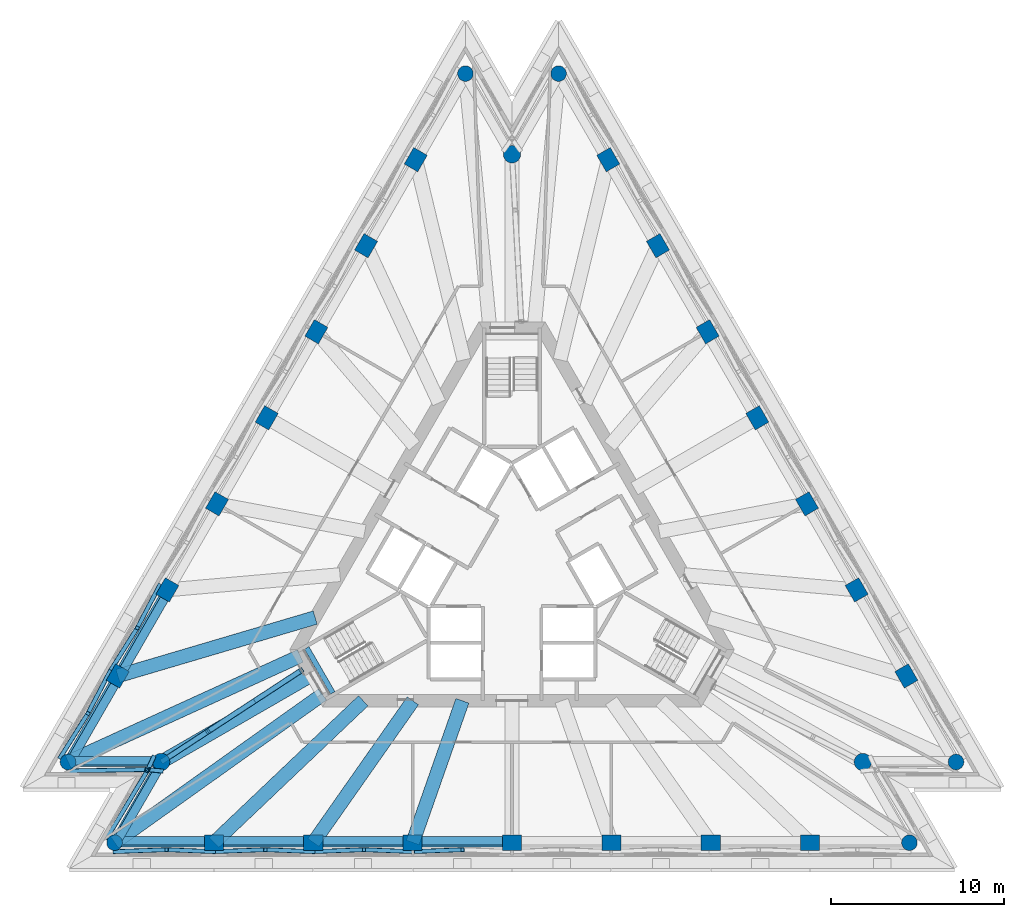
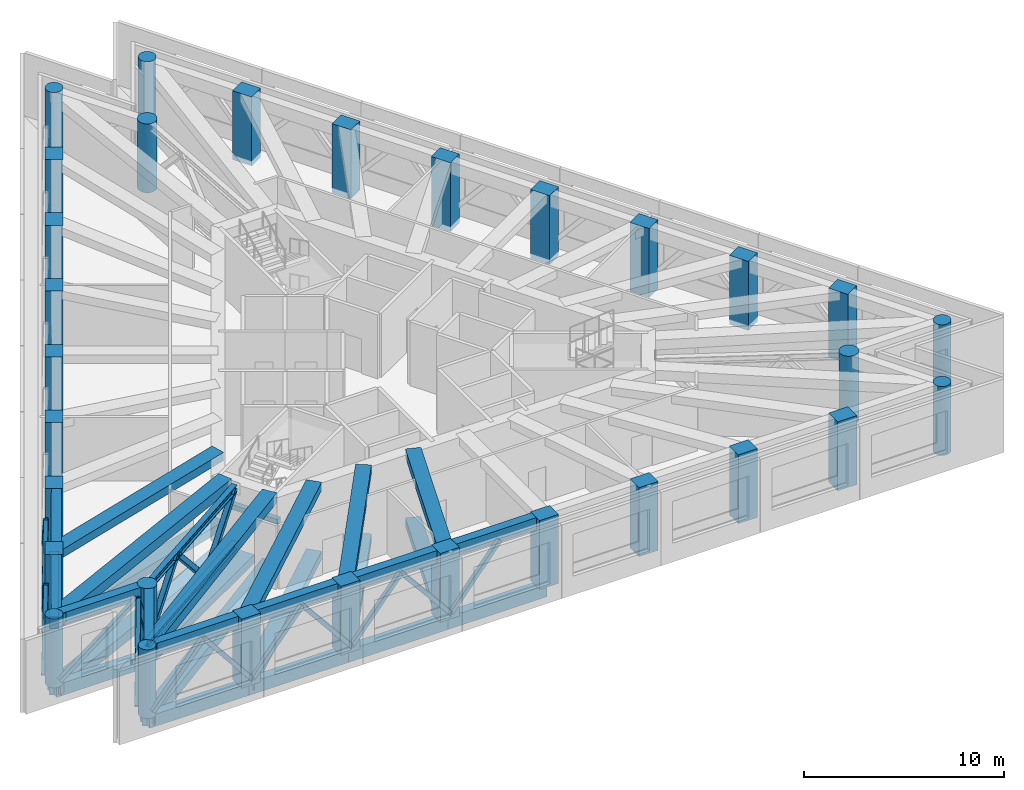
# One storey, part 1 of 12: 30 beams, 30 columns, 20 members.
"""IFC4 building model written with IfcOpenShell, lengths in metres."""

from ifc_helpers import new_model, si_unit, direction, frame, origin, origin_2d, place, context, subcontext, project, spatial, rectangle, hollow_rectangle, circle, i_section, extrude, material, material_profile, profile_set, type_object, element, save


model = new_model("IFC4")

# Units and contexts
model_context = context("Model", 3, precision=1e-05, world=origin(), true_north=direction((0.0, 1.0)))
body_context = subcontext(model_context, "Body", "Model", "MODEL_VIEW")
ifc_project = project(units=[si_unit("LENGTHUNIT", "METRE"), si_unit("AREAUNIT", "SQUARE_METRE"), si_unit("VOLUMEUNIT", "CUBIC_METRE"), si_unit("PLANEANGLEUNIT", "RADIAN"), si_unit("MASSUNIT", "GRAM", prefix="KILO")], contexts=[model_context])

# Site, building, storey
site_placement = place(None, origin())
site = spatial("IfcSite", under=ifc_project, at=site_placement, CompositionType="ELEMENT")
building_placement = place(site_placement, origin())
building = spatial("IfcBuilding", under=site, at=building_placement, Name="Triada Interchange Tower", CompositionType="ELEMENT")
storey_placement = place(building_placement, frame((0.0, 0.0, 251.300048828125)))
storey = spatial("IfcBuildingStorey", under=building, at=storey_placement, Name="L59", CompositionType="ELEMENT", Elevation=251.300048828125)

# Columns
ifc_material_1 = material(Name="Concrete C50/60", Category="concrete")
ifc_material_profile_1 = material_profile(ifc_material_1, rectangle(XDim=1.10009765625, YDim=0.89990234375, at=origin_2d()), Name="RC 1100x900")
ifc_profile_set_1 = profile_set([ifc_material_profile_1], Name="Concrete C50/60")
column_type_1 = type_object("IfcColumnType", Name="Column C face RC 1100x900", PredefinedType="COLUMN", material=ifc_profile_set_1)
for number, where, z_axis, x_axis, name in (
    (1, (-5.550048828125, 23.050048828125, -0.300048828125), (0.0, 0.0, 1.0), (0.5, 0.866025403784, 0.0), "Column CC02 L59"),
    (2, (-8.4150390625, 18.087890625, -0.300048828125), (0.0, 0.0, 1.0), (0.5, 0.866025403784, 0.0), "Column CC03 L59"),
    (3, (-11.279052734375, 13.126953125, -0.300048828125), (0.0, 0.0, 1.0), (0.5, 0.866025403784, 0.0), "Column CC04 L59"),
    (4, (-14.14404296875, 8.166015625, -0.300048828125), (0.0, 0.0, 1.0), (0.5, 0.866025403784, 0.0), "Column CC05 L59"),
    (5, (-17.008056640625, 3.205078125, -0.300048828125), (0.0, 0.0, 1.0), (0.5, 0.866025403784, 0.0), "Column CC06 L59"),
    (6, (-19.8720703125, -1.756103515625, -0.300048828125), (0.0, 0.0, 1.0), (0.5, 0.866025403784, 0.0), "Column CC07 L59"),
    (7, (-22.737060546875, -6.718017578125, -0.300048828125), (0.0, 0.0, 1.0), (0.5, 0.866025403784, 0.0), "Column CC08 L59"),
    (8, (-17.18603515625, -16.33203125, -0.300048828125), (0.0, 0.0, 1.0), (1.0, 0.0, 0.0), "Column CC11 L59"),
    (9, (-11.4580078125, -16.33203125, -0.300048828125), (0.0, 0.0, 1.0), (1.0, 0.0, 0.0), "Column CC12 L59"),
    (10, (-5.72900390625, -16.33203125, -0.300048828125), (0.0, 0.0, 1.0), (1.0, 0.0, 0.0), "Column CC13 L59"),
    (11, (0.0, -16.33203125, -0.300048828125), (0.0, 0.0, 1.0), (1.0, 0.0, 0.0), "Column CC14 L59"),
    (12, (5.72900390625, -16.33203125, -0.300048828125), (0.0, 0.0, 1.0), (1.0, 0.0, 0.0), "Column CC15 L59"),
    (13, (11.4580078125, -16.33203125, -0.300048828125), (0.0, 0.0, 1.0), (1.0, 0.0, 0.0), "Column CC16 L59"),
    (14, (17.18603515625, -16.33203125, -0.300048828125), (0.0, 0.0, 1.0), (1.0, 0.0, 0.0), "Column CC17 L59"),
    (15, (22.737060546875, -6.718017578125, -0.300048828125), (0.0, 0.0, 1.0), (-0.5, 0.866025403784, 0.0), "Column CC20 L59"),
    (16, (19.8720703125, -1.757080078125, -0.300048828125), (0.0, 0.0, 1.0), (-0.5, 0.866025403784, 0.0), "Column CC21 L59"),
    (17, (17.008056640625, 3.205078125, -0.300048828125), (0.0, 0.0, 1.0), (-0.5, 0.866025403784, 0.0), "Column CC22 L59"),
    (18, (14.14404296875, 8.166015625, -0.300048828125), (0.0, 0.0, 1.0), (-0.5, 0.866025403784, 0.0), "Column CC23 L59"),
    (19, (11.279052734375, 13.126953125, -0.300048828125), (0.0, 0.0, 1.0), (-0.5, 0.866025403784, 0.0), "Column CC24 L59"),
    (20, (8.4150390625, 18.087890625, -0.300048828125), (0.0, 0.0, 1.0), (-0.5, 0.866025403784, 0.0), "Column CC25 L59"),
    (21, (5.550048828125, 23.050048828125, -0.300048828125), (0.0, 0.0, 1.0), (-0.5, 0.866025403784, 0.0), "Column CC26 L59"),
):
    element("IfcColumn", number, at=place(storey_placement, frame(where, z_axis=z_axis, x_axis=x_axis)), inside=storey, type_object=column_type_1, Name=name, PredefinedType="COLUMN", context=body_context, shape_type="SweptSolid", body=[
        extrude(rectangle(XDim=1.10009765625, YDim=0.89990234375, at=origin_2d()), origin(), (0.0, 0.0, 1.0), 4.199951171875),
    ])
ifc_material_profile_2 = material_profile(ifc_material_1, circle(Radius=0.449951171875, at=origin_2d()), Name="RC D900")
ifc_profile_set_2 = profile_set([ifc_material_profile_2], Name="Concrete C50/60")
column_type_2 = type_object("IfcColumnType", Name="End column C RC D900", PredefinedType="COLUMN", material=ifc_profile_set_2)
for number, where, z_axis, x_axis, name in (
    (22, (-2.68603515625, 28.010986328125, -0.300048828125), (0.0, 0.0, 1.0), (0.5, 0.866025403784, 0.0), "Column CC01 L59"),
    (23, (-25.60107421875, -11.678955078125, -0.300048828125), (0.0, 0.0, 1.0), (0.5, 0.866025403784, 0.0), "Column CC09 L59"),
    (24, (-22.9150390625, -16.33203125, -0.300048828125), (0.0, 0.0, 1.0), (1.0, 0.0, 0.0), "Column CC10 L59"),
    (25, (22.9150390625, -16.33203125, -0.300048828125), (0.0, 0.0, 1.0), (1.0, 0.0, 0.0), "Column CC18 L59"),
    (26, (25.60107421875, -11.678955078125, -0.300048828125), (0.0, 0.0, 1.0), (-0.5, 0.866025403784, 0.0), "Column CC19 L59"),
    (27, (2.68603515625, 28.010986328125, -0.300048828125), (0.0, 0.0, 1.0), (-0.5, 0.866025403784, 0.0), "Column CC27 L59"),
):
    element("IfcColumn", number, at=place(storey_placement, frame(where, z_axis=z_axis, x_axis=x_axis)), inside=storey, type_object=column_type_2, Name=name, PredefinedType="COLUMN", context=body_context, shape_type="SweptSolid", body=[
        extrude(circle(Radius=0.449951171875, at=origin_2d()), origin(), (0.0, 0.0, 1.0), 4.199951171875),
    ])
ifc_material_profile_3 = material_profile(ifc_material_1, circle(Radius=0.5, at=origin_2d()), Name="RC D1000")
ifc_profile_set_3 = profile_set([ifc_material_profile_3], Name="Concrete C50/60")
column_type_3 = type_object("IfcColumnType", Name="Mega column C RC D1000", PredefinedType="COLUMN", material=ifc_profile_set_3)
for number, where, z_axis, x_axis, name in (
    (28, (0.0, 23.35888671875, -0.300048828125), (0.0, 0.0, 1.0), (1.0, 0.0, 0.0), "Column MC1 L59"),
    (29, (-20.22900390625, -11.678955078125, -0.300048828125), (0.0, 0.0, 1.0), (1.0, 0.0, 0.0), "Column MC2 L59"),
    (30, (20.22900390625, -11.678955078125, -0.300048828125), (0.0, 0.0, 1.0), (1.0, 0.0, 0.0), "Column MC3 L59"),
):
    element("IfcColumn", number, at=place(storey_placement, frame(where, z_axis=z_axis, x_axis=x_axis)), inside=storey, type_object=column_type_3, Name=name, PredefinedType="COLUMN", context=body_context, shape_type="SweptSolid", body=[
        extrude(circle(Radius=0.5, at=origin_2d()), origin(), (0.0, 0.0, 1.0), 4.199951171875),
    ])

# Members
ifc_material_2 = material(Name="Steel S355", Category="steel")
ifc_material_profile_4 = material_profile(ifc_material_2, hollow_rectangle(XDim=0.25, YDim=0.25, WallThickness=0.012451171875, InnerFilletRadius=0.012451171875, OuterFilletRadius=0.018798828125, at=origin_2d()), Name="RHS 250x250x12.5")
ifc_profile_set_4 = profile_set([ifc_material_profile_4], Name="Steel S355")
member_type_1 = type_object("IfcMemberType", Name="Belt truss diagonal RHS 250x250x12.5", PredefinedType="BRACE", material=ifc_profile_set_4)
member_1_placement = place(storey_placement, frame((-20.318115234375, -1.498046875, 0.14990234375), z_axis=(-0.29497806262, -0.561604679221, 0.773038244106), x_axis=(0.885309907804, -0.465001470045, 0.0)))
element("IfcMember", 31, at=member_1_placement, inside=storey, type_object=member_type_1, Name="Belt truss diagonal 013 L59", PredefinedType="BRACE", context=body_context, shape_type="SweptSolid", body=[
    extrude(hollow_rectangle(XDim=0.25, YDim=0.25, WallThickness=0.012451171875, InnerFilletRadius=0.012451171875, OuterFilletRadius=0.018798828125, at=origin_2d()), origin(), (0.0, 0.0, 1.0), 4.365966796875),
])
member_2_placement = place(storey_placement, frame((-23.18310546875, -6.4599609375, 0.14990234375), z_axis=(0.351100678401, 0.55877183818, 0.751333711798), x_axis=(-0.846723474126, 0.532033230508, 0.0)))
element("IfcMember", 32, at=member_2_placement, inside=storey, type_object=member_type_1, Name="Belt truss diagonal 014 L59", PredefinedType="BRACE", context=body_context, shape_type="SweptSolid", body=[
    extrude(hollow_rectangle(XDim=0.25, YDim=0.25, WallThickness=0.012451171875, InnerFilletRadius=0.012451171875, OuterFilletRadius=0.018798828125, at=origin_2d()), origin(), (0.0, 0.0, 1.0), 4.491943359375),
])
member_3_placement = place(storey_placement, frame((-23.18310546875, -6.4609375, 0.14990234375), z_axis=(-0.292297771348, -0.556811225005, 0.777510946916), x_axis=(0.885416306414, -0.464798842872, 0.0)))
element("IfcMember", 33, at=member_3_placement, inside=storey, type_object=member_type_1, Name="Belt truss diagonal 015 L59", PredefinedType="BRACE", context=body_context, shape_type="SweptSolid", body=[
    extrude(hollow_rectangle(XDim=0.25, YDim=0.25, WallThickness=0.012451171875, InnerFilletRadius=0.012451171875, OuterFilletRadius=0.018798828125, at=origin_2d()), origin(), (0.0, 0.0, 1.0), 4.3408203125),
])
member_4_placement = place(storey_placement, frame((-26.047119140625, -11.422119140625, 0.14990234375), z_axis=(0.353115234639, 0.563179348052, 0.747086777418), x_axis=(-0.847234660744, 0.53121881521, 0.0)))
element("IfcMember", 34, at=member_4_placement, inside=storey, type_object=member_type_1, Name="Belt truss diagonal 016 L59", PredefinedType="BRACE", context=body_context, shape_type="SweptSolid", body=[
    extrude(hollow_rectangle(XDim=0.25, YDim=0.25, WallThickness=0.012451171875, InnerFilletRadius=0.012451171875, OuterFilletRadius=0.018798828125, at=origin_2d()), origin(), (0.0, 0.0, 1.0), 4.517578125),
])
member_5_placement = place(storey_placement, frame((-25.60107421875, -12.194091796875, 0.14990234375), z_axis=(0.803027764649, 0.014135840005, 0.595773939704), x_axis=(-0.017600450428, 0.999845100075, 0.0)))
element("IfcMember", 35, at=member_5_placement, inside=storey, type_object=member_type_1, Name="Belt truss diagonal 017 L59", PredefinedType="BRACE", context=body_context, shape_type="SweptSolid", body=[
    extrude(hollow_rectangle(XDim=0.25, YDim=0.25, WallThickness=0.012451171875, InnerFilletRadius=0.012451171875, OuterFilletRadius=0.018798828125, at=origin_2d()), origin(), (0.0, 0.0, 1.0), 5.664794921875),
])
member_6_placement = place(storey_placement, frame((-20.22900390625, -12.194091796875, 0.14990234375), z_axis=(-0.236846343965, 0.02304526871, 0.971273764157), x_axis=(-0.096843158335, -0.995299654719, 0.0)))
element("IfcMember", 36, at=member_6_placement, inside=storey, type_object=member_type_1, Name="Belt truss diagonal 018 L59", PredefinedType="BRACE", context=body_context, shape_type="SweptSolid", body=[
    extrude(hollow_rectangle(XDim=0.25, YDim=0.25, WallThickness=0.012451171875, InnerFilletRadius=0.012451171875, OuterFilletRadius=0.018798828125, at=origin_2d()), origin(), (0.0, 0.0, 1.0), 3.474853515625),
])
member_7_placement = place(storey_placement, frame((-20.675048828125, -11.422119140625, 0.14990234375), z_axis=(-0.098439563128, -0.216412458554, 0.971326567223), x_axis=(0.910255111941, -0.414047860984, 0.0)))
element("IfcMember", 37, at=member_7_placement, inside=storey, type_object=member_type_1, Name="Belt truss diagonal 019 L59", PredefinedType="BRACE", context=body_context, shape_type="SweptSolid", body=[
    extrude(hollow_rectangle(XDim=0.25, YDim=0.25, WallThickness=0.012451171875, InnerFilletRadius=0.012451171875, OuterFilletRadius=0.018798828125, at=origin_2d()), origin(), (0.0, 0.0, 1.0), 3.474609375),
])
member_8_placement = place(storey_placement, frame((-23.361083984375, -16.074951171875, 0.14990234375), z_axis=(0.413706075281, 0.688490331303, 0.595674698957), x_axis=(-0.857156666014, 0.515055773589, 0.0)))
element("IfcMember", 38, at=member_8_placement, inside=storey, type_object=member_type_1, Name="Belt truss diagonal 020 L59", PredefinedType="BRACE", context=body_context, shape_type="SweptSolid", body=[
    extrude(hollow_rectangle(XDim=0.25, YDim=0.25, WallThickness=0.012451171875, InnerFilletRadius=0.012451171875, OuterFilletRadius=0.018798828125, at=origin_2d()), origin(), (0.0, 0.0, 1.0), 5.665771484375),
])
member_9_placement = place(storey_placement, frame((-22.9150390625, -16.846923828125, 0.14990234375), z_axis=(0.664288100103, 0.024319040437, 0.747080922212), x_axis=(-0.03658466894, 0.999330556922, 0.0)))
element("IfcMember", 39, at=member_9_placement, inside=storey, type_object=member_type_1, Name="Belt truss diagonal 021 L59", PredefinedType="BRACE", context=body_context, shape_type="SweptSolid", body=[
    extrude(hollow_rectangle(XDim=0.25, YDim=0.25, WallThickness=0.012451171875, InnerFilletRadius=0.012451171875, OuterFilletRadius=0.018798828125, at=origin_2d()), origin(), (0.0, 0.0, 1.0), 4.517578125),
])
member_10_placement = place(storey_placement, frame((-17.18603515625, -16.846923828125, 0.14990234375), z_axis=(-0.628423805932, 0.025307921306, 0.77745934251), x_axis=(-0.040239442414, -0.99919006564, 0.0)))
element("IfcMember", 40, at=member_10_placement, inside=storey, type_object=member_type_1, Name="Belt truss diagonal 022 L59", PredefinedType="BRACE", context=body_context, shape_type="SweptSolid", body=[
    extrude(hollow_rectangle(XDim=0.25, YDim=0.25, WallThickness=0.012451171875, InnerFilletRadius=0.012451171875, OuterFilletRadius=0.018798828125, at=origin_2d()), origin(), (0.0, 0.0, 1.0), 4.341064453125),
])
member_11_placement = place(storey_placement, frame((-17.18603515625, -16.846923828125, 0.14990234375), z_axis=(0.659415122741, 0.024459017906, 0.751381030067), x_axis=(-0.037066498562, 0.999312801221, 0.0)))
element("IfcMember", 41, at=member_11_placement, inside=storey, type_object=member_type_1, Name="Belt truss diagonal 023 L59", PredefinedType="BRACE", context=body_context, shape_type="SweptSolid", body=[
    extrude(hollow_rectangle(XDim=0.25, YDim=0.25, WallThickness=0.012451171875, InnerFilletRadius=0.012451171875, OuterFilletRadius=0.018798828125, at=origin_2d()), origin(), (0.0, 0.0, 1.0), 4.49169921875),
])
member_12_placement = place(storey_placement, frame((-11.4580078125, -16.846923828125, 0.14990234375), z_axis=(-0.633688749603, 0.025168573462, 0.773178576744), x_axis=(-0.039686274076, -0.999212189502, 0.0)))
element("IfcMember", 42, at=member_12_placement, inside=storey, type_object=member_type_1, Name="Belt truss diagonal 024 L59", PredefinedType="BRACE", context=body_context, shape_type="SweptSolid", body=[
    extrude(hollow_rectangle(XDim=0.25, YDim=0.25, WallThickness=0.012451171875, InnerFilletRadius=0.012451171875, OuterFilletRadius=0.018798828125, at=origin_2d()), origin(), (0.0, 0.0, 1.0), 4.364990234375),
])
member_13_placement = place(storey_placement, frame((-11.4580078125, -16.846923828125, 0.14990234375), z_axis=(0.65448883738, 0.024598678428, 0.755671401315), x_axis=(-0.037558047393, 0.999294447636, 0.0)))
element("IfcMember", 43, at=member_13_placement, inside=storey, type_object=member_type_1, Name="Belt truss diagonal 025 L59", PredefinedType="BRACE", context=body_context, shape_type="SweptSolid", body=[
    extrude(hollow_rectangle(XDim=0.25, YDim=0.25, WallThickness=0.012451171875, InnerFilletRadius=0.012451171875, OuterFilletRadius=0.018798828125, at=origin_2d()), origin(), (0.0, 0.0, 1.0), 4.46630859375),
])
member_14_placement = place(storey_placement, frame((-5.72900390625, -16.846923828125, 0.14990234375), z_axis=(-0.639097435912, 0.025023392166, 0.76871860733), x_axis=(-0.039124289424, -0.99923435188, 0.0)))
element("IfcMember", 44, at=member_14_placement, inside=storey, type_object=member_type_1, Name="Belt truss diagonal 026 L59", PredefinedType="BRACE", context=body_context, shape_type="SweptSolid", body=[
    extrude(hollow_rectangle(XDim=0.25, YDim=0.25, WallThickness=0.012451171875, InnerFilletRadius=0.012451171875, OuterFilletRadius=0.018798828125, at=origin_2d()), origin(), (0.0, 0.0, 1.0), 4.390380859375),
])
member_15_placement = place(storey_placement, frame((-5.72900390625, -16.846923828125, 0.14990234375), z_axis=(0.649445975275, 0.024739751873, 0.760005177533), x_axis=(-0.038066016418, 0.999275226549, 0.0)))
element("IfcMember", 45, at=member_15_placement, inside=storey, type_object=member_type_1, Name="Belt truss diagonal 027 L59", PredefinedType="BRACE", context=body_context, shape_type="SweptSolid", body=[
    extrude(hollow_rectangle(XDim=0.25, YDim=0.25, WallThickness=0.012451171875, InnerFilletRadius=0.012451171875, OuterFilletRadius=0.018798828125, at=origin_2d()), origin(), (0.0, 0.0, 1.0), 4.440673828125),
])

# Beam
ifc_material_3 = material(Name="Concrete C35/45", Category="concrete")
ifc_material_profile_5 = material_profile(ifc_material_3, rectangle(XDim=0.300048828125, YDim=0.300048828125, at=origin_2d()), Name="RC 300x300")
ifc_profile_set_5 = profile_set([ifc_material_profile_5], Name="Concrete C35/45")
beam_type_1 = type_object("IfcBeamType", Name="Landing support beam RC 300x300", PredefinedType="BEAM", material=ifc_profile_set_5)
beam_1_placement = place(storey_placement, frame((-11.8349609375, -5.10107421875, 1.822265625), z_axis=(0.50002537861, -0.866010750942, 0.0), x_axis=(0.866010750942, 0.50002537861, 0.0)))
element("IfcBeam", 46, at=beam_1_placement, inside=storey, type_object=beam_type_1, Name="Landing support beam S59-2 1", PredefinedType="BEAM", context=body_context, shape_type="SweptSolid", body=[
    extrude(rectangle(XDim=0.300048828125, YDim=0.300048828125, at=origin_2d()), origin(), (0.0, 0.0, 1.0), 2.999755859375),
])

# Members
ifc_material_4 = material(Name="Steel S460M", Category="steel")
ifc_material_profile_6 = material_profile(ifc_material_4, i_section(OverallWidth=0.306884765625, OverallDepth=0.431884765625, WebThickness=0.02099609375, FlangeThickness=0.0400390625, FilletRadius=0.027099609375, at=origin_2d()), Name="HEM 400")
ifc_profile_set_6 = profile_set([ifc_material_profile_6], Name="Steel S460M")
member_type_2 = type_object("IfcMemberType", Name="Outrigger chord HEM 400", PredefinedType="CHORD", material=ifc_profile_set_6)
for number, where, z_axis, x_axis, name in (
    (47, (-12.14697265625, -6.39697265625, 0.216064453125), (-0.837084524655, -0.547073576937, 0.0), (0.547073576937, -0.837084524655, 0.0), "Outrigger bottom chord SW L59"),
    (48, (-12.14697265625, -6.39697265625, 3.683837890625), (-0.837084524655, -0.547073576937, 0.0), (0.547073576937, -0.837084524655, 0.0), "Outrigger top chord SW L59"),
):
    element("IfcMember", number, at=place(storey_placement, frame(where, z_axis=z_axis, x_axis=x_axis)), inside=storey, type_object=member_type_2, Name=name, PredefinedType="CHORD", context=body_context, shape_type="SweptSolid", body=[
        extrude(i_section(OverallWidth=0.306884765625, OverallDepth=0.431884765625, WebThickness=0.02099609375, FlangeThickness=0.0400390625, FilletRadius=0.027099609375, at=origin_2d()), origin(), (0.0, 0.0, 1.0), 9.655029296875),
    ])
ifc_material_profile_7 = material_profile(ifc_material_2, hollow_rectangle(XDim=0.300048828125, YDim=0.300048828125, WallThickness=0.01611328125, InnerFilletRadius=0.01611328125, OuterFilletRadius=0.02392578125, at=origin_2d()), Name="RHS 300x300x16")
ifc_profile_set_7 = profile_set([ifc_material_profile_7], Name="Steel S355")
member_type_3 = type_object("IfcMemberType", Name="Outrigger diagonal RHS 300x300x16", PredefinedType="BRACE", material=ifc_profile_set_7)
member_16_placement = place(storey_placement, frame((-12.14697265625, -6.39697265625, 3.683837890625), z_axis=(-0.569469586396, -0.372025940039, -0.733008246957), x_axis=(0.546920225993, -0.837184726569, 0.0)))
element("IfcMember", 49, at=member_16_placement, inside=storey, type_object=member_type_3, Name="Outrigger diagonal SW 1 L59", PredefinedType="BRACE", context=body_context, shape_type="SweptSolid", body=[
    extrude(hollow_rectangle(XDim=0.300048828125, YDim=0.300048828125, WallThickness=0.01611328125, InnerFilletRadius=0.01611328125, OuterFilletRadius=0.02392578125, at=origin_2d()), origin(), (0.0, 0.0, 1.0), 4.73095703125),
])
for number, where, z_axis, x_axis, name in (
    (50, (-14.841064453125, -8.156982421875, 0.216064453125), (-0.569390975372, -0.372214709566, 0.73297348325), (0.547167606097, -0.837023064699, 0.0), "Outrigger diagonal SW 2 L59"),
    (51, (-17.534912109375, -9.91796875, 3.683837890625), (-0.569425847041, -0.372203772968, -0.732951946658), (0.547132865237, -0.837045774004, 0.0), "Outrigger diagonal SW 3 L59"),
):
    element("IfcMember", number, at=place(storey_placement, frame(where, z_axis=z_axis, x_axis=x_axis)), inside=storey, type_object=member_type_3, Name=name, PredefinedType="BRACE", context=body_context, shape_type="SweptSolid", body=[
        extrude(hollow_rectangle(XDim=0.300048828125, YDim=0.300048828125, WallThickness=0.01611328125, InnerFilletRadius=0.01611328125, OuterFilletRadius=0.02392578125, at=origin_2d()), origin(), (0.0, 0.0, 1.0), 4.731201171875),
    ])

# Beams
ifc_material_profile_8 = material_profile(ifc_material_1, rectangle(XDim=0.800048828125, YDim=0.5, at=origin_2d()), Name="RC 800x500")
ifc_profile_set_8 = profile_set([ifc_material_profile_8], Name="Concrete C50/60")
beam_type_2 = type_object("IfcBeamType", Name="Radial band beam C RC 800x500", PredefinedType="BEAM", material=ifc_profile_set_8)
beam_2_placement = place(storey_placement, frame((-22.737060546875, -6.718017578125, -0.550048828125), z_axis=(0.95900831421, 0.283377933645, 0.0), x_axis=(-0.283377933645, 0.95900831421, 0.0)))
element("IfcBeam", 52, at=beam_2_placement, inside=storey, type_object=beam_type_2, Name="Radial band beam BC08 L59", PredefinedType="BEAM", context=body_context, shape_type="SweptSolid", body=[
    extrude(rectangle(XDim=0.800048828125, YDim=0.5, at=origin_2d()), origin(), (0.0, 0.0, 1.0), 11.8779296875),
])
beam_3_placement = place(storey_placement, frame((-20.22900390625, -11.678955078125, -0.550048828125), z_axis=(0.866024712477, 0.500001197378, 0.0), x_axis=(-0.500001197378, 0.866024712477, 0.0)))
element("IfcBeam", 53, at=beam_3_placement, inside=storey, type_object=beam_type_2, Name="Radial band beam BC10 L59", PredefinedType="BEAM", context=body_context, shape_type="SweptSolid", body=[
    extrude(rectangle(XDim=0.800048828125, YDim=0.5, at=origin_2d()), origin(), (0.0, 0.0, 1.0), 10.0078125),
])
beam_4_placement = place(storey_placement, frame((-17.18603515625, -16.33203125, -0.550048828125), z_axis=(0.724893195555, 0.688861274161, 0.0), x_axis=(-0.688861274161, 0.724893195555, 0.0)))
element("IfcBeam", 54, at=beam_4_placement, inside=storey, type_object=beam_type_2, Name="Radial band beam BC12 L59", PredefinedType="BEAM", context=body_context, shape_type="SweptSolid", body=[
    extrude(rectangle(XDim=0.800048828125, YDim=0.5, at=origin_2d()), origin(), (0.0, 0.0, 1.0), 11.877685546875),
])
beam_5_placement = place(storey_placement, frame((-11.4580078125, -16.33203125, -0.550048828125), z_axis=(0.574301411492, 0.818643932829, 0.0), x_axis=(-0.818643932829, 0.574301411492, 0.0)))
element("IfcBeam", 55, at=beam_5_placement, inside=storey, type_object=beam_type_2, Name="Radial band beam BC13 L59", PredefinedType="BEAM", context=body_context, shape_type="SweptSolid", body=[
    extrude(rectangle(XDim=0.800048828125, YDim=0.5, at=origin_2d()), origin(), (0.0, 0.0, 1.0), 9.99462890625),
])
beam_6_placement = place(storey_placement, frame((-5.72900390625, -16.33203125, -0.550048828125), z_axis=(0.331005025402, 0.943628991266, 0.0), x_axis=(-0.943628991266, 0.331005025402, 0.0)))
element("IfcBeam", 56, at=beam_6_placement, inside=storey, type_object=beam_type_2, Name="Radial band beam BC14 L59", PredefinedType="BEAM", context=body_context, shape_type="SweptSolid", body=[
    extrude(rectangle(XDim=0.800048828125, YDim=0.5, at=origin_2d()), origin(), (0.0, 0.0, 1.0), 8.6708984375),
])
for number, where, z_axis, x_axis, name in (
    (57, (-22.5830078125, -6.6708984375, 3.64990234375), (0.959045370113, 0.283252498779, 0.0), (-0.283252498779, 0.959045370113, 0.0), "Radial band beam BC08 L60"),
    (58, (-17.069091796875, -16.221923828125, 3.64990234375), (0.724849592965, 0.688907154542, 0.0), (-0.688907154542, 0.724849592965, 0.0), "Radial band beam BC12 L60"),
):
    element("IfcBeam", number, at=place(storey_placement, frame(where, z_axis=z_axis, x_axis=x_axis)), inside=storey, type_object=beam_type_2, Name=name, PredefinedType="BEAM", context=body_context, shape_type="SweptSolid", body=[
        extrude(rectangle(XDim=0.800048828125, YDim=0.5, at=origin_2d()), origin(), (0.0, 0.0, 1.0), 11.717041015625),
    ])
beam_7_placement = place(storey_placement, frame((-11.3798828125, -16.221923828125, 3.64990234375), z_axis=(0.574307866409, 0.818639404488, 0.0), x_axis=(-0.818639404488, 0.574307866409, 0.0)))
element("IfcBeam", 59, at=beam_7_placement, inside=storey, type_object=beam_type_2, Name="Radial band beam BC13 L60", PredefinedType="BEAM", context=body_context, shape_type="SweptSolid", body=[
    extrude(rectangle(XDim=0.800048828125, YDim=0.5, at=origin_2d()), origin(), (0.0, 0.0, 1.0), 9.8603515625),
])
beam_8_placement = place(storey_placement, frame((-5.68994140625, -16.221923828125, 3.64990234375), z_axis=(0.330959311485, 0.943645025495, 0.0), x_axis=(-0.943645025495, 0.330959311485, 0.0)))
element("IfcBeam", 60, at=beam_8_placement, inside=storey, type_object=beam_type_2, Name="Radial band beam BC14 L60", PredefinedType="BEAM", context=body_context, shape_type="SweptSolid", body=[
    extrude(rectangle(XDim=0.800048828125, YDim=0.5, at=origin_2d()), origin(), (0.0, 0.0, 1.0), 8.55419921875),
])
ifc_material_profile_9 = material_profile(ifc_material_1, rectangle(XDim=0.800048828125, YDim=0.60009765625, at=origin_2d()), Name="RC 800x600")
ifc_profile_set_9 = profile_set([ifc_material_profile_9], Name="Concrete C50/60")
beam_type_3 = type_object("IfcBeamType", Name="Radial band beam C RC 800x600", PredefinedType="BEAM", material=ifc_profile_set_9)
beam_9_placement = place(storey_placement, frame((-25.60107421875, -11.678955078125, -0.60009765625), z_axis=(0.909789946736, 0.415068973568, 0.0), x_axis=(-0.415068973568, 0.909789946736, 0.0)))
element("IfcBeam", 61, at=beam_9_placement, inside=storey, type_object=beam_type_3, Name="Radial band beam BC09 L59", PredefinedType="BEAM", context=body_context, shape_type="SweptSolid", body=[
    extrude(rectangle(XDim=0.800048828125, YDim=0.60009765625, at=origin_2d()), origin(), (0.0, 0.0, 1.0), 14.727783203125),
])
beam_10_placement = place(storey_placement, frame((-22.9150390625, -16.33203125, -0.60009765625), z_axis=(0.814347897514, 0.580377034189, 0.0), x_axis=(-0.580377034189, 0.814347897514, 0.0)))
element("IfcBeam", 62, at=beam_10_placement, inside=storey, type_object=beam_type_3, Name="Radial band beam BC11 L59", PredefinedType="BEAM", context=body_context, shape_type="SweptSolid", body=[
    extrude(rectangle(XDim=0.800048828125, YDim=0.60009765625, at=origin_2d()), origin(), (0.0, 0.0, 1.0), 14.728515625),
])
beam_11_placement = place(storey_placement, frame((-25.427978515625, -11.59912109375, 3.599853515625), z_axis=(0.909812373258, 0.415019813341, 0.0), x_axis=(-0.415019813341, 0.909812373258, 0.0)))
element("IfcBeam", 63, at=beam_11_placement, inside=storey, type_object=beam_type_3, Name="Radial band beam BC09 L60", PredefinedType="BEAM", context=body_context, shape_type="SweptSolid", body=[
    extrude(rectangle(XDim=0.800048828125, YDim=0.60009765625, at=origin_2d()), origin(), (0.0, 0.0, 1.0), 14.537109375),
])
beam_12_placement = place(storey_placement, frame((-22.759033203125, -16.221923828125, 3.599853515625), z_axis=(0.814312905099, 0.580426130174, 0.0), x_axis=(-0.580426130174, 0.814312905099, 0.0)))
element("IfcBeam", 64, at=beam_12_placement, inside=storey, type_object=beam_type_3, Name="Radial band beam BC11 L60", PredefinedType="BEAM", context=body_context, shape_type="SweptSolid", body=[
    extrude(rectangle(XDim=0.800048828125, YDim=0.60009765625, at=origin_2d()), origin(), (0.0, 0.0, 1.0), 14.53759765625),
])
ifc_material_profile_10 = material_profile(ifc_material_1, rectangle(XDim=0.5, YDim=0.75, at=origin_2d()), Name="RC 500x750")
ifc_profile_set_10 = profile_set([ifc_material_profile_10], Name="Concrete C50/60")
beam_type_4 = type_object("IfcBeamType", Name="Spandrel beam C RC 500x750", PredefinedType="BEAM", material=ifc_profile_set_10)
beam_13_placement = place(storey_placement, frame((-19.8720703125, -1.756103515625, -0.675048828125), z_axis=(-0.500029820261, -0.866008186364, 0.0), x_axis=(0.866008186364, -0.500029820261, 0.0)))
element("IfcBeam", 65, at=beam_13_placement, inside=storey, type_object=beam_type_4, Name="Spandrel beam EC07 L59", PredefinedType="BEAM", context=body_context, shape_type="SweptSolid", body=[
    extrude(rectangle(XDim=0.5, YDim=0.75, at=origin_2d()), origin(), (0.0, 0.0, 1.0), 5.729736328125),
])
beam_14_placement = place(storey_placement, frame((-22.737060546875, -6.718017578125, -0.675048828125), z_axis=(-0.499975787251, -0.86603938257, 0.0), x_axis=(0.86603938257, -0.499975787251, 0.0)))
element("IfcBeam", 66, at=beam_14_placement, inside=storey, type_object=beam_type_4, Name="Spandrel beam EC08 L59", PredefinedType="BEAM", context=body_context, shape_type="SweptSolid", body=[
    extrude(rectangle(XDim=0.5, YDim=0.75, at=origin_2d()), origin(), (0.0, 0.0, 1.0), 5.728271484375),
])
beam_15_placement = place(storey_placement, frame((-25.60107421875, -11.678955078125, -0.675048828125), z_axis=(1.0, 0.0, 0.0), x_axis=(0.0, 1.0, 0.0)))
element("IfcBeam", 67, at=beam_15_placement, inside=storey, type_object=beam_type_4, Name="Spandrel beam EC09 L59", PredefinedType="BEAM", context=body_context, shape_type="SweptSolid", body=[
    extrude(rectangle(XDim=0.5, YDim=0.75, at=origin_2d()), origin(), (0.0, 0.0, 1.0), 5.3720703125),
])
beam_16_placement = place(storey_placement, frame((-20.22900390625, -11.678955078125, -0.675048828125), z_axis=(-0.499941421582, -0.866059221408, 0.0), x_axis=(0.866059221408, -0.499941421582, 0.0)))
element("IfcBeam", 68, at=beam_16_placement, inside=storey, type_object=beam_type_4, Name="Spandrel beam EC10 L59", PredefinedType="BEAM", context=body_context, shape_type="SweptSolid", body=[
    extrude(rectangle(XDim=0.5, YDim=0.75, at=origin_2d()), origin(), (0.0, 0.0, 1.0), 5.372802734375),
])
beam_17_placement = place(storey_placement, frame((-22.9150390625, -16.33203125, -0.675048828125), z_axis=(1.0, 0.0, 0.0), x_axis=(0.0, 1.0, 0.0)))
element("IfcBeam", 69, at=beam_17_placement, inside=storey, type_object=beam_type_4, Name="Spandrel beam EC11 L59", PredefinedType="BEAM", context=body_context, shape_type="SweptSolid", body=[
    extrude(rectangle(XDim=0.5, YDim=0.75, at=origin_2d()), origin(), (0.0, 0.0, 1.0), 5.72900390625),
])
beam_18_placement = place(storey_placement, frame((-17.18603515625, -16.33203125, -0.675048828125), z_axis=(1.0, 0.0, 0.0), x_axis=(0.0, 1.0, 0.0)))
element("IfcBeam", 70, at=beam_18_placement, inside=storey, type_object=beam_type_4, Name="Spandrel beam EC12 L59", PredefinedType="BEAM", context=body_context, shape_type="SweptSolid", body=[
    extrude(rectangle(XDim=0.5, YDim=0.75, at=origin_2d()), origin(), (0.0, 0.0, 1.0), 5.72802734375),
])
for number, where, z_axis, x_axis, name in (
    (71, (-11.4580078125, -16.33203125, -0.675048828125), (1.0, 0.0, 0.0), (0.0, 1.0, 0.0), "Spandrel beam EC13 L59"),
    (72, (-5.72900390625, -16.33203125, -0.675048828125), (1.0, 0.0, 0.0), (0.0, 1.0, 0.0), "Spandrel beam EC14 L59"),
):
    element("IfcBeam", number, at=place(storey_placement, frame(where, z_axis=z_axis, x_axis=x_axis)), inside=storey, type_object=beam_type_4, Name=name, PredefinedType="BEAM", context=body_context, shape_type="SweptSolid", body=[
        extrude(rectangle(XDim=0.5, YDim=0.75, at=origin_2d()), origin(), (0.0, 0.0, 1.0), 5.72900390625),
    ])
beam_19_placement = place(storey_placement, frame((-19.738037109375, -1.743896484375, 3.52490234375), z_axis=(-0.500048088601, -0.865997638038, 0.0), x_axis=(0.865997638038, -0.500048088601, 0.0)))
element("IfcBeam", 73, at=beam_19_placement, inside=storey, type_object=beam_type_4, Name="Spandrel beam EC07 L60", PredefinedType="BEAM", context=body_context, shape_type="SweptSolid", body=[
    extrude(rectangle(XDim=0.5, YDim=0.75, at=origin_2d()), origin(), (0.0, 0.0, 1.0), 5.689453125),
])
beam_20_placement = place(storey_placement, frame((-22.5830078125, -6.6708984375, 3.52490234375), z_axis=(-0.499955190835, -0.866051272822, 0.0), x_axis=(0.866051272822, -0.499955190835, 0.0)))
element("IfcBeam", 74, at=beam_20_placement, inside=storey, type_object=beam_type_4, Name="Spandrel beam EC08 L60", PredefinedType="BEAM", context=body_context, shape_type="SweptSolid", body=[
    extrude(rectangle(XDim=0.5, YDim=0.75, at=origin_2d()), origin(), (0.0, 0.0, 1.0), 5.6904296875),
])
for number, where, z_axis, x_axis, name in (
    (75, (-25.427978515625, -11.59912109375, 3.52490234375), (1.0, 0.0, 0.0), (0.0, 1.0, 0.0), "Spandrel beam EC09 L60"),
    (76, (-20.090087890625, -11.59912109375, 3.52490234375), (-0.499995631649, -0.866027925839, 0.0), (0.866027925839, -0.499995631649, 0.0), "Spandrel beam EC10 L60"),
):
    element("IfcBeam", number, at=place(storey_placement, frame(where, z_axis=z_axis, x_axis=x_axis)), inside=storey, type_object=beam_type_4, Name=name, PredefinedType="BEAM", context=body_context, shape_type="SweptSolid", body=[
        extrude(rectangle(XDim=0.5, YDim=0.75, at=origin_2d()), origin(), (0.0, 0.0, 1.0), 5.337890625),
    ])
beam_21_placement = place(storey_placement, frame((-22.759033203125, -16.221923828125, 3.52490234375), z_axis=(1.0, 0.0, 0.0), x_axis=(0.0, 1.0, 0.0)))
element("IfcBeam", 77, at=beam_21_placement, inside=storey, type_object=beam_type_4, Name="Spandrel beam EC11 L60", PredefinedType="BEAM", context=body_context, shape_type="SweptSolid", body=[
    extrude(rectangle(XDim=0.5, YDim=0.75, at=origin_2d()), origin(), (0.0, 0.0, 1.0), 5.68994140625),
])
beam_22_placement = place(storey_placement, frame((-17.069091796875, -16.221923828125, 3.52490234375), z_axis=(1.0, 0.0, 0.0), x_axis=(0.0, 1.0, 0.0)))
element("IfcBeam", 78, at=beam_22_placement, inside=storey, type_object=beam_type_4, Name="Spandrel beam EC12 L60", PredefinedType="BEAM", context=body_context, shape_type="SweptSolid", body=[
    extrude(rectangle(XDim=0.5, YDim=0.75, at=origin_2d()), origin(), (0.0, 0.0, 1.0), 5.689208984375),
])
for number, where, z_axis, x_axis, name in (
    (79, (-11.3798828125, -16.221923828125, 3.52490234375), (1.0, 0.0, 0.0), (0.0, 1.0, 0.0), "Spandrel beam EC13 L60"),
    (80, (-5.68994140625, -16.221923828125, 3.52490234375), (1.0, 0.0, 0.0), (0.0, 1.0, 0.0), "Spandrel beam EC14 L60"),
):
    element("IfcBeam", number, at=place(storey_placement, frame(where, z_axis=z_axis, x_axis=x_axis)), inside=storey, type_object=beam_type_4, Name=name, PredefinedType="BEAM", context=body_context, shape_type="SweptSolid", body=[
        extrude(rectangle(XDim=0.5, YDim=0.75, at=origin_2d()), origin(), (0.0, 0.0, 1.0), 5.68994140625),
    ])

save(model, "model.ifc")
